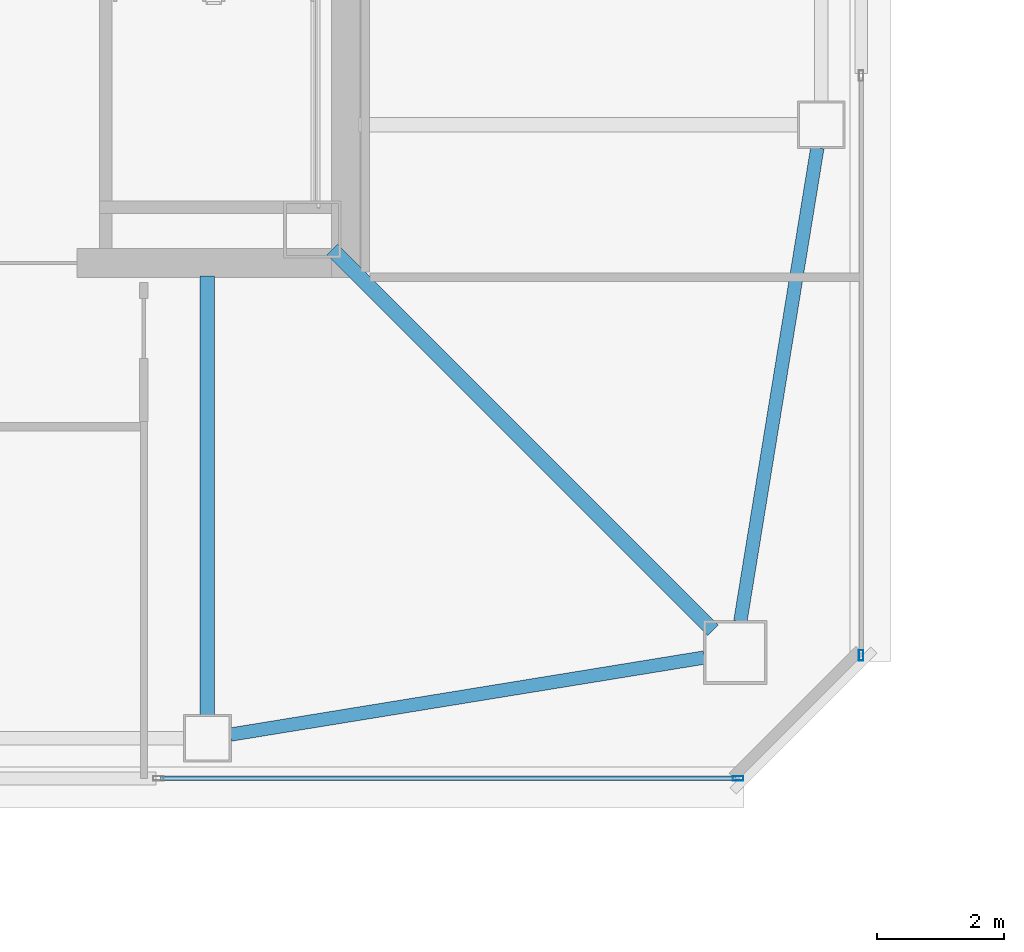
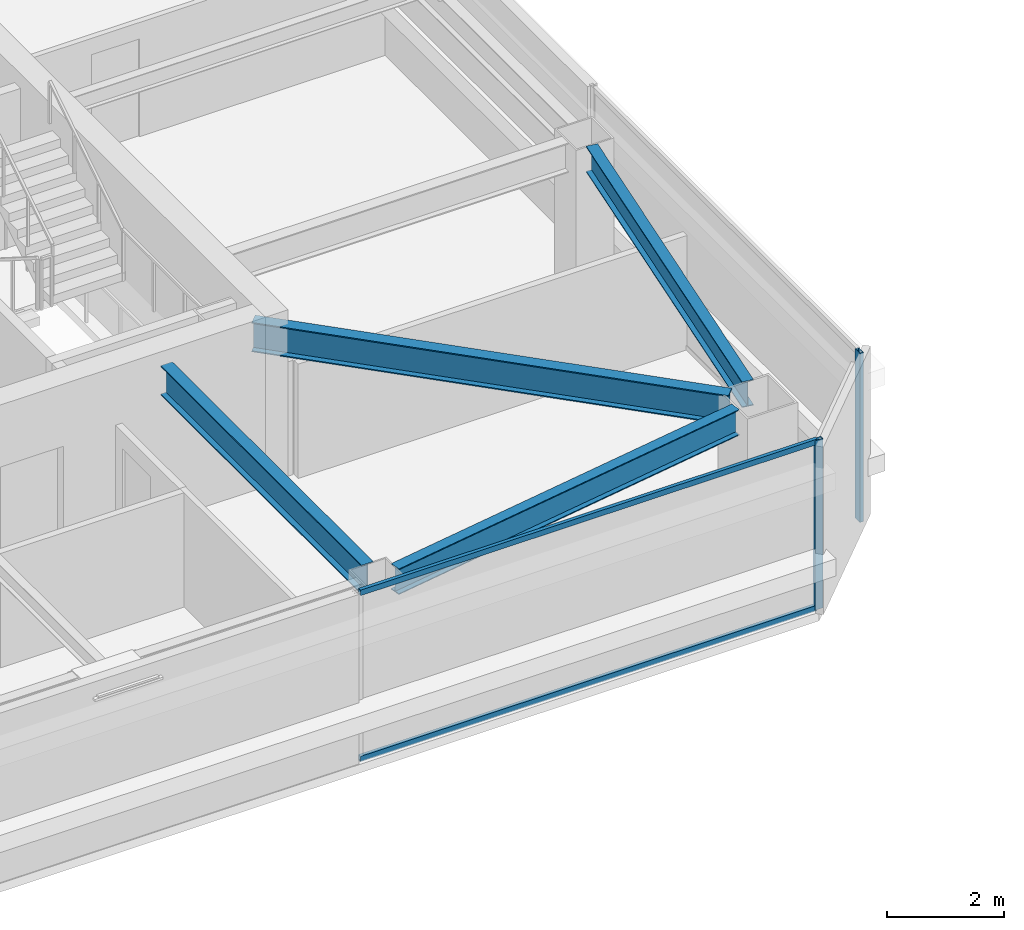
# One storey, part 7 of 39: 4 beams, 4 members, 2 elements without a shape of their own.
"""IFC4 building model written with IfcOpenShell, lengths in metres."""

from ifc_helpers import new_model, si_unit, direction, frame, origin, origin_2d, place, context, subcontext, project, spatial, hollow_rectangle, i_section, extrude, material, material_profile, profile_set, type_object, element, aggregate, save


model = new_model("IFC4")

# Units and contexts
model_context = context("Model", 3, precision=1e-05, world=origin(), true_north=direction((0.0, 1.0)))
body_context = subcontext(model_context, "Body", "Model", "MODEL_VIEW")
ifc_project = project(units=[si_unit("LENGTHUNIT", "METRE"), si_unit("AREAUNIT", "SQUARE_METRE"), si_unit("VOLUMEUNIT", "CUBIC_METRE"), si_unit("PLANEANGLEUNIT", "RADIAN"), si_unit("MASSUNIT", "GRAM", prefix="KILO")], contexts=[model_context])

# Site, building, storey
site_placement = place(None, origin())
site = spatial("IfcSite", under=ifc_project, at=site_placement, CompositionType="ELEMENT")
building_placement = place(site_placement, origin())
building = spatial("IfcBuilding", under=site, at=building_placement, Name="Tashvorn Skyway Center", CompositionType="ELEMENT")
storey_placement = place(building_placement, frame((0.0, 0.0, 243.25)))
storey = spatial("IfcBuildingStorey", under=building, at=storey_placement, Name="L66", CompositionType="ELEMENT", Elevation=243.25)

# Beams
ifc_material_1 = material(Name="Steel ASTM A992 Grade 50", Category="steel")
ifc_material_profile_1 = material_profile(ifc_material_1, i_section(OverallWidth=0.22998046875, OverallDepth=0.616943359375, WebThickness=0.01318359375, FlangeThickness=0.022216796875, at=origin_2d()), Name="W24X94")
ifc_profile_set_1 = profile_set([ifc_material_profile_1], Name="Steel ASTM A992 Grade 50")
beam_type_1 = type_object("IfcBeamType", Name="BM-BEAM-W24X94", PredefinedType="BEAM", material=ifc_profile_set_1)
beam_1_placement = place(storey_placement, frame((55.35009765625, 18.64990234375, 2.94140625), z_axis=(-0.707106781187, 0.707106781187, 0.0), x_axis=(-0.707106781187, -0.707106781187, 0.0)))
element("IfcBeam", 1, at=beam_1_placement, inside=storey, type_object=beam_type_1, Name="Tower 1 L66 Primary Floor Girder MC-SE", PredefinedType="BEAM", context=body_context, shape_type="SweptSolid", body=[
    extrude(i_section(OverallWidth=0.22998046875, OverallDepth=0.616943359375, WebThickness=0.01318359375, FlangeThickness=0.022216796875, at=origin_2d()), origin(), (0.0, 0.0, 1.0), 8.464599609375),
])
beam_2_placement = place(storey_placement, frame((47.39990234375, 17.320068359375, 2.94140625), z_axis=(0.0, 1.0, 0.0), x_axis=(-1.0, 0.0, 0.0)))
element("IfcBeam", 2, at=beam_2_placement, inside=storey, type_object=beam_type_1, Name="Tower 1 L66 Primary Floor Girder FC-S2", PredefinedType="BEAM", context=body_context, shape_type="SweptSolid", body=[
    extrude(i_section(OverallWidth=0.22998046875, OverallDepth=0.616943359375, WebThickness=0.01318359375, FlangeThickness=0.022216796875, at=origin_2d()), origin(), (0.0, 0.0, 1.0), 6.89990234375),
])
ifc_material_profile_2 = material_profile(ifc_material_1, i_section(OverallWidth=0.2109375, OverallDepth=0.5390625, WebThickness=0.01171875, FlangeThickness=0.018798828125, at=origin_2d()), Name="W21X73")
ifc_profile_set_2 = profile_set([ifc_material_profile_2], Name="Steel ASTM A992 Grade 50")
beam_type_2 = type_object("IfcBeamType", Name="BM-SPANDREL-W21X73", PredefinedType="SPANDREL", material=ifc_profile_set_2)
for number, where, z_axis, x_axis, name in (
    (3, (47.76513671875, 17.009521484375, 2.98046875), (0.987033514444, 0.160514302677, 0.0), (-0.160514302677, 0.987033514444, 0.0), "Tower 1 L66 Spandrel Beam 03"),
    (4, (55.779541015625, 18.78857421875, 2.98046875), (0.160514302677, 0.987033514444, 0.0), (-0.987033514444, 0.160514302677, 0.0), "Tower 1 L66 Spandrel Beam 04"),
):
    element("IfcBeam", number, at=place(storey_placement, frame(where, z_axis=z_axis, x_axis=x_axis)), inside=storey, type_object=beam_type_2, Name=name, PredefinedType="SPANDREL", context=body_context, shape_type="SweptSolid", body=[
        extrude(i_section(OverallWidth=0.2109375, OverallDepth=0.5390625, WebThickness=0.01171875, FlangeThickness=0.018798828125, at=origin_2d()), origin(), (0.0, 0.0, 1.0), 7.544189453125),
    ])

# Curtain wall, member
ifc_material_2 = material(Name="Thermally broken bronze-anodized aluminium 6063-T6", Category="aluminium")
curtain_wall_type = type_object("IfcCurtainWallType", Name="CW-CW-Z5", PredefinedType="NOTDEFINED", material=ifc_material_2)
curtain_wall_1_placement = place(storey_placement, origin())
curtain_wall_1 = element("IfcCurtainWall", 5, at=curtain_wall_1_placement, inside=storey, type_object=curtain_wall_type, Name="Tower 1 L66 South Unitised Curtain Wall Glazing Group 1", PredefinedType="NOTDEFINED")
ifc_material_profile_3 = material_profile(ifc_material_2, hollow_rectangle(XDim=0.070068359375, YDim=0.1650390625, WallThickness=0.00390625, at=origin_2d()), Name="ALU-MULL-70x165")
ifc_profile_set_3 = profile_set([ifc_material_profile_3], Name="Thermally broken bronze-anodized aluminium 6063-T6")
member_type_1 = type_object("IfcMemberType", Name="CWM-CW-Z5", PredefinedType="MULLION", material=ifc_profile_set_3)
member_1_placement = place(storey_placement, frame((55.7451171875, 16.320068359375, 0.0), z_axis=(0.0, 0.0, 1.0), x_axis=(0.0, -1.0, 0.0)))
member_1 = element("IfcMember", 6, at=member_1_placement, type_object=member_type_1, Name="CW-Z5 mullion 1", PredefinedType="MULLION", context=body_context, shape_type="SweptSolid", body=[
    extrude(hollow_rectangle(XDim=0.070068359375, YDim=0.1650390625, WallThickness=0.00390625, at=origin_2d()), origin(), (0.0, 0.0, 1.0), 3.550048828125),
])

curtain_wall_2_placement = place(storey_placement, origin())
curtain_wall_2 = element("IfcCurtainWall", 7, at=curtain_wall_2_placement, inside=storey, type_object=curtain_wall_type, Name="Tower 1 L66 East Unitised Curtain Wall Glazing Group 2", PredefinedType="NOTDEFINED")
member_2_placement = place(storey_placement, frame((57.679931640625, 18.2548828125, 0.0), z_axis=(0.0, 0.0, 1.0), x_axis=(1.0, 0.0, 0.0)))
member_2 = element("IfcMember", 8, at=member_2_placement, type_object=member_type_1, Name="CW-Z5 mullion 2", PredefinedType="MULLION", context=body_context, shape_type="SweptSolid", body=[
    extrude(hollow_rectangle(XDim=0.070068359375, YDim=0.1650390625, WallThickness=0.00390625, at=origin_2d()), origin(), (0.0, 0.0, 1.0), 3.550048828125),
])
aggregate(curtain_wall_2, [member_2])

# Member
ifc_material_profile_4 = material_profile(ifc_material_2, hollow_rectangle(XDim=0.070068359375, YDim=0.114990234375, WallThickness=0.00390625, at=origin_2d()), Name="ALU-TRAN-70x115")
ifc_profile_set_4 = profile_set([ifc_material_profile_4], Name="Thermally broken bronze-anodized aluminium 6063-T6")
member_type_2 = type_object("IfcMemberType", Name="CWT-CW-Z5", PredefinedType="USERDEFINED", material=ifc_profile_set_4)
member_3_placement = place(storey_placement, frame((55.7099609375, 16.320068359375, 0.034912109375), z_axis=(-1.0, 0.0, 0.0), x_axis=(0.0, -1.0, 0.0)))
member_3 = element("IfcMember", 9, at=member_3_placement, type_object=member_type_2, Name="CW-Z5 transom 1.1", ObjectType="TRANSOM", PredefinedType="USERDEFINED", context=body_context, shape_type="SweptSolid", body=[
    extrude(hollow_rectangle(XDim=0.070068359375, YDim=0.114990234375, WallThickness=0.00390625, at=origin_2d()), origin(), (0.0, 0.0, 1.0), 9.046630859375),
])

member_4_placement = place(storey_placement, frame((55.7099609375, 16.320068359375, 3.514892578125), z_axis=(-1.0, 0.0, 0.0), x_axis=(0.0, -1.0, 0.0)))
member_4 = element("IfcMember", 10, at=member_4_placement, type_object=member_type_2, Name="CW-Z5 transom 1.2", ObjectType="TRANSOM", PredefinedType="USERDEFINED", context=body_context, shape_type="SweptSolid", body=[
    extrude(hollow_rectangle(XDim=0.070068359375, YDim=0.114990234375, WallThickness=0.00390625, at=origin_2d()), origin(), (0.0, 0.0, 1.0), 9.046630859375),
])

aggregate(curtain_wall_1, [member_1, member_3, member_4])

save(model, "model.ifc")
